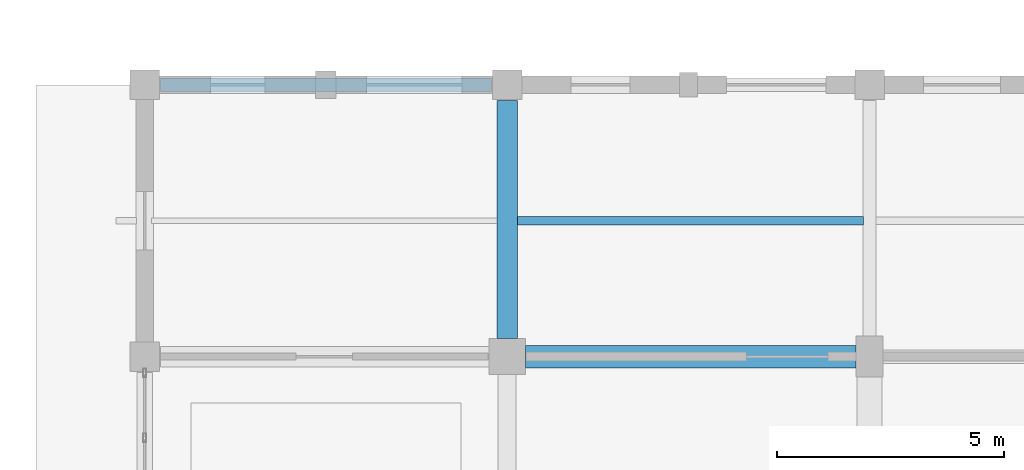
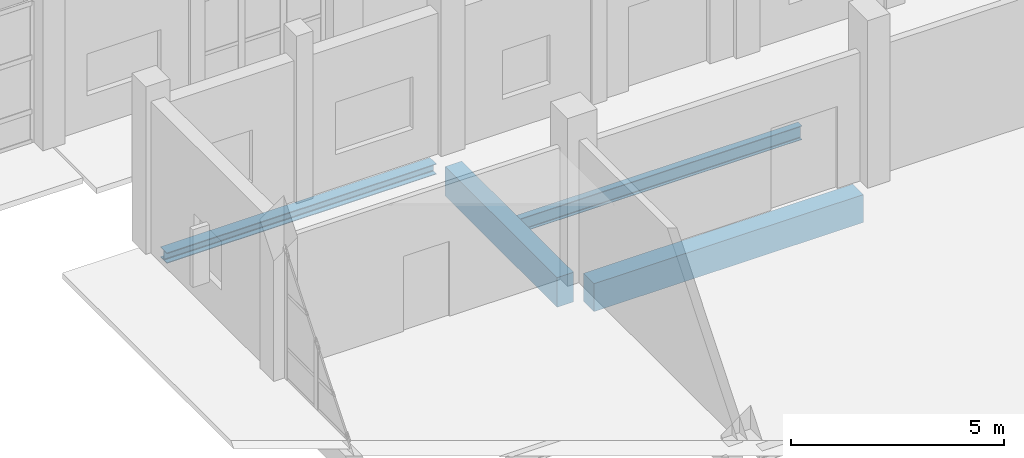
# One storey, part 88 of 156: 4 beams.
"""IFC4 building model written with IfcOpenShell, lengths in metres."""

from ifc_helpers import new_model, si_unit, direction, frame, origin, origin_2d, place, context, subcontext, project, spatial, rectangle, i_section, extrude, material, material_profile, profile_set, type_object, element, save


model = new_model("IFC4")

# Units and contexts
model_context = context("Model", 3, precision=1e-05, world=origin(), true_north=direction((0.0, 1.0)))
body_context = subcontext(model_context, "Body", "Model", "MODEL_VIEW")
ifc_project = project(units=[si_unit("LENGTHUNIT", "METRE"), si_unit("AREAUNIT", "SQUARE_METRE"), si_unit("VOLUMEUNIT", "CUBIC_METRE"), si_unit("PLANEANGLEUNIT", "RADIAN"), si_unit("MASSUNIT", "GRAM", prefix="KILO")], contexts=[model_context])

# Site, building, storey
site_placement = place(None, origin())
site = spatial("IfcSite", under=ifc_project, at=site_placement, CompositionType="ELEMENT")
building_placement = place(site_placement, origin())
building = spatial("IfcBuilding", under=site, at=building_placement, Name="Luwemba Playhouse", CompositionType="ELEMENT")
storey_placement = place(building_placement, origin())
storey = spatial("IfcBuildingStorey", under=building, at=storey_placement, Name="L00", CompositionType="ELEMENT", Elevation=0.0)

# Beams
ifc_material_1 = material(Name="Concrete C40/50", Category="concrete")
ifc_material_profile_1 = material_profile(ifc_material_1, rectangle(XDim=0.449951171875, YDim=0.85009765625, at=origin_2d()))
ifc_profile_set_1 = profile_set([ifc_material_profile_1], Name="Concrete C40/50")
beam_type_1 = type_object("IfcBeamType", Name="BM-RB05", PredefinedType="BEAM", material=ifc_profile_set_1)
beam_1_placement = place(storey_placement, frame((140.0, 84.39990234375, -0.72509765625), z_axis=(0.0, 1.0, 0.0), x_axis=(-1.0, 0.0, 0.0)))
element("IfcBeam", 1, at=beam_1_placement, inside=storey, type_object=beam_type_1, Name="L00 transverse girder 0137", PredefinedType="BEAM", context=body_context, shape_type="SweptSolid", body=[
    extrude(rectangle(XDim=0.449951171875, YDim=0.85009765625, at=origin_2d()), origin(), (0.0, 0.0, 1.0), 5.25),
])
ifc_material_profile_2 = material_profile(ifc_material_1, rectangle(XDim=0.5, YDim=0.800048828125, at=origin_2d()))
ifc_profile_set_2 = profile_set([ifc_material_profile_2], Name="Concrete C40/50")
beam_type_2 = type_object("IfcBeamType", Name="BM-RB06", PredefinedType="BEAM", material=ifc_profile_set_2)
beam_2_placement = place(storey_placement, frame((140.39990234375, 84.0, -0.699951171875), z_axis=(1.0, 0.0, 0.0), x_axis=(0.0, 1.0, 0.0)))
element("IfcBeam", 2, at=beam_2_placement, inside=storey, type_object=beam_type_2, Name="L00 grid girder 0123", PredefinedType="BEAM", context=body_context, shape_type="SweptSolid", body=[
    extrude(rectangle(XDim=0.5, YDim=0.800048828125, at=origin_2d()), origin(), (0.0, 0.0, 1.0), 7.300048828125),
])
ifc_material_2 = material(Name="Steel S355", Category="steel")
ifc_material_profile_3 = material_profile(ifc_material_2, i_section(OverallWidth=0.179931640625, OverallDepth=0.39990234375, WebThickness=0.008544921875, FlangeThickness=0.013427734375, FilletRadius=0.02099609375, at=origin_2d()))
ifc_profile_set_3 = profile_set([ifc_material_profile_3], Name="Steel S355")
beam_type_3 = type_object("IfcBeamType", Name="BM-SJ08", PredefinedType="JOIST", material=ifc_profile_set_3)
beam_3_placement = place(storey_placement, frame((140.220947265625, 87.0, -0.5), z_axis=(1.0, 0.0, 0.0), x_axis=(0.0, 1.0, 0.0)))
element("IfcBeam", 3, at=beam_3_placement, inside=storey, type_object=beam_type_3, Name="L00 composite floor joist 0106", PredefinedType="JOIST", context=body_context, shape_type="SweptSolid", body=[
    extrude(i_section(OverallWidth=0.179931640625, OverallDepth=0.39990234375, WebThickness=0.008544921875, FlangeThickness=0.013427734375, FilletRadius=0.02099609375, at=origin_2d()), origin(), (0.0, 0.0, 1.0), 7.64306640625),
])
ifc_material_profile_4 = material_profile(ifc_material_2, i_section(OverallWidth=0.300048828125, OverallDepth=0.300048828125, WebThickness=0.010986328125, FlangeThickness=0.01904296875, FilletRadius=0.027099609375, at=origin_2d()))
ifc_profile_set_4 = profile_set([ifc_material_profile_4], Name="Steel S355")
beam_type_4 = type_object("IfcBeamType", Name="BM-SSP1", PredefinedType="SPANDREL", material=ifc_profile_set_4)
beam_4_placement = place(storey_placement, frame((132.35009765625, 90.0, -0.449951171875), z_axis=(1.0, 0.0, 0.0), x_axis=(0.0, 1.0, 0.0)))
element("IfcBeam", 4, at=beam_4_placement, inside=storey, type_object=beam_type_4, Name="L00 grid girder 0127", PredefinedType="SPANDREL", context=body_context, shape_type="SweptSolid", body=[
    extrude(i_section(OverallWidth=0.300048828125, OverallDepth=0.300048828125, WebThickness=0.010986328125, FlangeThickness=0.01904296875, FilletRadius=0.027099609375, at=origin_2d()), origin(), (0.0, 0.0, 1.0), 7.2998046875),
])

save(model, "model.ifc")
